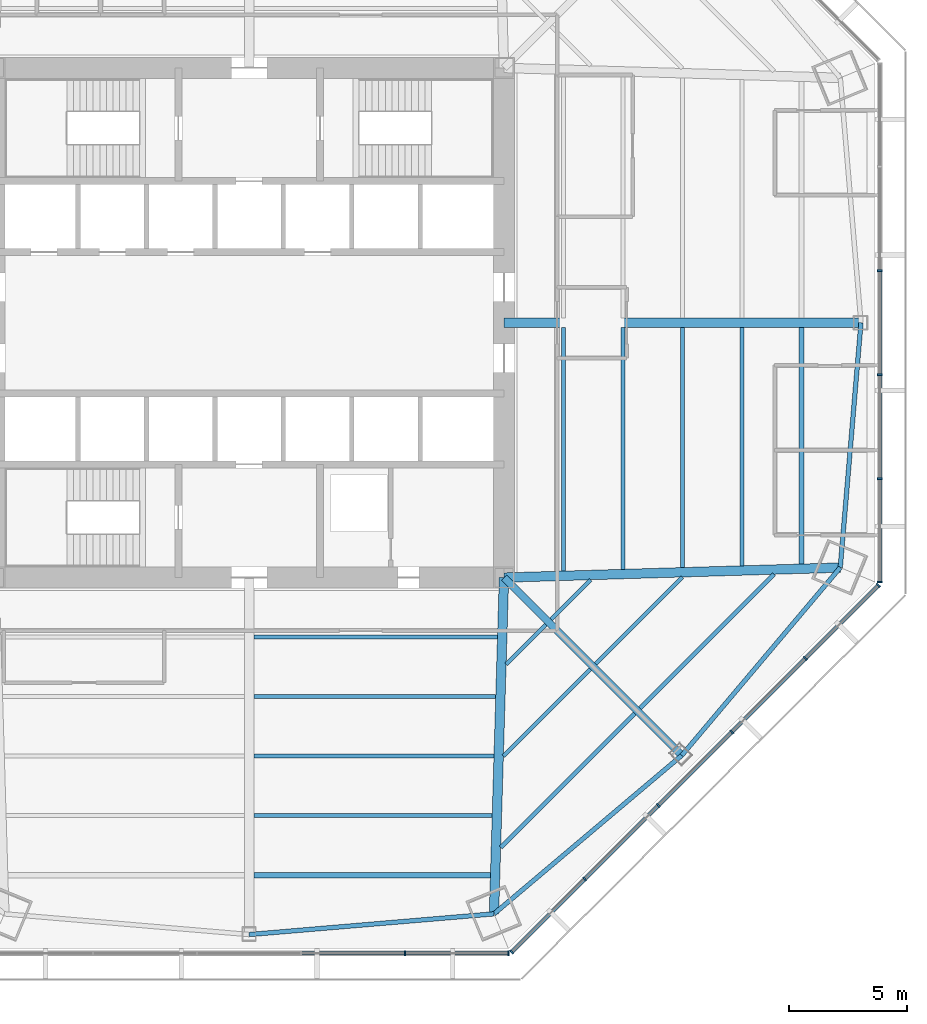
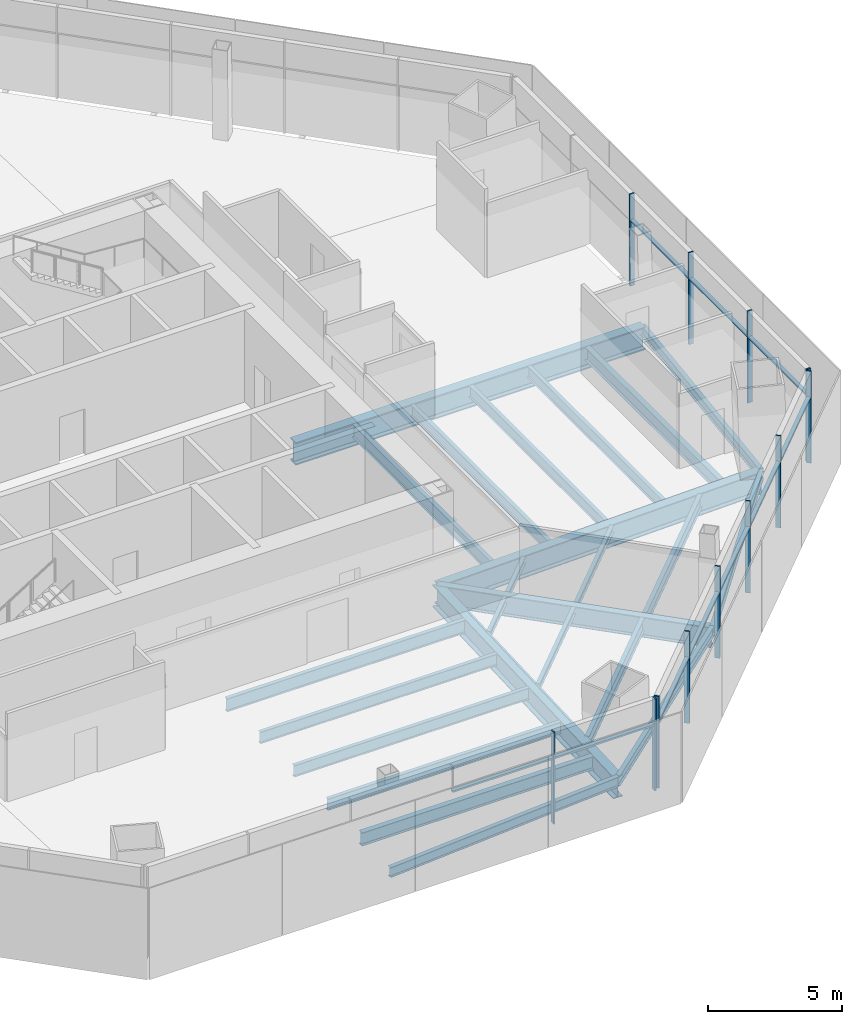
# One storey, part 3 of 13: 24 beams, 22 members, 3 elements without a shape of their own.
"""IFC4 building model written with IfcOpenShell, lengths in metres."""

import ifcopenshell
import ifcopenshell.guid

model = None  # the IFC model being written
_history = None  # IfcOwnerHistory: only IFC2X3 demands one
_inside = {}  # id of a spatial element -> (the spatial element, [elements in it])
_under = {}  # id of a project, library or spatial element -> (it, [spatial elements below it])
_declared = {}  # id of a project -> (the project, [libraries it declares])
_typed = {}  # id of a type object -> (the type object, [elements of that type])
_made_of = {}  # id of a material, layer set ... -> (it, [elements and type objects made of it])


def new_model(schema):
    """Start an empty IFC model of exactly this schema.

    Asked for "IFC4X3", IfcOpenShell would pick the latest addendum, in which some entities
    have other attributes; the version numbers below select the first issue.
    IFC2X3 requires an IfcOwnerHistory on every rooted entity: one is made here for all.
    """
    global model, _history
    if schema == "IFC4X3":
        model = ifcopenshell.file(schema_version=(4, 3, 0, 0))
    else:
        model = ifcopenshell.file(schema=schema)
    _inside.clear()
    _under.clear()
    _declared.clear()
    _typed.clear()
    _made_of.clear()
    _history = None
    if model.schema == "IFC2X3":
        org = make("IfcOrganization", Name="unknown")
        user = make(
            "IfcPersonAndOrganization",
            ThePerson=make("IfcPerson", FamilyName="unknown"),
            TheOrganization=org,
        )
        app = make(
            "IfcApplication",
            ApplicationDeveloper=org,
            Version="unknown",
            ApplicationFullName="unknown",
            ApplicationIdentifier="unknown",
        )
        _history = make(
            "IfcOwnerHistory",
            OwningUser=user,
            OwningApplication=app,
            ChangeAction="ADDED",
            CreationDate=0,
        )
    return model


def make(cls, **values):
    """One entity of the class cls with the attributes given. An attribute that is None is left unset."""
    return model.create_entity(
        cls, **{name: value for name, value in values.items() if value is not None}
    )


def rooted(cls, **values):
    """An entity with a GlobalId (a new one), such as an element, a storey or a relation."""
    return make(cls, GlobalId=ifcopenshell.guid.new(), OwnerHistory=_history, **values)


def si_unit(unit_type, name, prefix=None):
    """IfcSIUnit, for example si_unit("LENGTHUNIT", "METRE", prefix="MILLI")."""
    return make("IfcSIUnit", UnitType=unit_type, Prefix=prefix, Name=name)


def assignment(units):
    """IfcUnitAssignment: the units of a project."""
    return None if units is None else make("IfcUnitAssignment", Units=units)


def point(xyz):
    """IfcCartesianPoint."""
    return None if xyz is None else make("IfcCartesianPoint", Coordinates=xyz)


def direction(xyz):
    """IfcDirection."""
    return None if xyz is None else make("IfcDirection", DirectionRatios=xyz)


def frame(location, z_axis=None, x_axis=None):
    """IfcAxis2Placement3D, a coordinate frame: its origin and axes. An axis left out is left unset."""
    return make(
        "IfcAxis2Placement3D",
        Location=point(location),
        Axis=direction(z_axis),
        RefDirection=direction(x_axis),
    )


def frame_2d(location, x_axis=None):
    """IfcAxis2Placement2D, a coordinate frame in the plane: its origin and x axis."""
    return make(
        "IfcAxis2Placement2D", Location=point(location), RefDirection=direction(x_axis)
    )


def origin():
    """The frame at (0, 0, 0) with its axes left unset."""
    return frame((0.0, 0.0, 0.0))


def origin_2d():
    """The frame at (0, 0) in the plane with its x axis left unset."""
    return frame_2d((0.0, 0.0))


def place(relative_to, where):
    """IfcLocalPlacement: puts the frame where relative to a parent placement (None: the world)."""
    return make(
        "IfcLocalPlacement", PlacementRelTo=relative_to, RelativePlacement=where
    )


def context(
    kind, dimensions, precision=None, world=None, true_north=None, identifier=None
):
    """IfcGeometricRepresentationContext, for example the 3D "Model" context."""
    return make(
        "IfcGeometricRepresentationContext",
        ContextIdentifier=identifier,
        ContextType=kind,
        CoordinateSpaceDimension=dimensions,
        Precision=precision,
        WorldCoordinateSystem=world,
        TrueNorth=true_north,
    )


def subcontext(parent, identifier, kind, view, scale=None):
    """IfcGeometricRepresentationSubContext, for example "Body" below "Model"."""
    return make(
        "IfcGeometricRepresentationSubContext",
        ContextIdentifier=identifier,
        ContextType=kind,
        ParentContext=parent,
        TargetScale=scale,
        TargetView=view,
    )


def project(units=None, contexts=None):
    """IfcProject with its units and contexts."""
    return rooted(
        "IfcProject",
        Name="project",
        RepresentationContexts=contexts,
        UnitsInContext=assignment(units),
    )


def spatial(cls, under=None, at=None, **own):
    """A site, building, storey or space (cls), placed at a placement, below another one or the project."""
    s = rooted(cls, ObjectPlacement=at, **own)
    if under is not None:
        _under.setdefault(under.id(), (under, []))[1].append(s)
    return s


def profile(cls, at=None, kind="AREA", **sizes):
    """A parametric profile (cls). Its sizes go by their IFC names, for example OverallWidth=200.0."""
    return make(cls, ProfileType=kind, Position=at, **sizes)


def rectangle(**sizes):
    """IfcRectangleProfileDef."""
    return profile("IfcRectangleProfileDef", **sizes)


def i_section(**sizes):
    """IfcIShapeProfileDef."""
    return profile("IfcIShapeProfileDef", **sizes)


def extrude(swept, where, along, depth):
    """IfcExtrudedAreaSolid: the profile swept, set in the frame where, extruded along a direction by depth."""
    return make(
        "IfcExtrudedAreaSolid",
        SweptArea=swept,
        Position=where,
        ExtrudedDirection=direction(along),
        Depth=depth,
    )


def shape(context_of_items, identifier, shape_type, items):
    """IfcShapeRepresentation: the items that make up one representation, for example the "Body"."""
    return make(
        "IfcShapeRepresentation",
        ContextOfItems=context_of_items,
        RepresentationIdentifier=identifier,
        RepresentationType=shape_type,
        Items=items,
    )


def source(mapping_origin, context_of_items, identifier, shape_type, items):
    """IfcRepresentationMap: a shape defined once, which mapped items show again and again."""
    return make(
        "IfcRepresentationMap",
        MappingOrigin=mapping_origin,
        MappedRepresentation=shape(context_of_items, identifier, shape_type, items),
    )


def transform(
    local_origin,
    x_axis=None,
    y_axis=None,
    z_axis=None,
    scale=None,
    scale2=None,
    scale3=None,
    uniform=True,
):
    """IfcCartesianTransformationOperator3D, or its non-uniform kind. x_axis, y_axis, z_axis: its Axis1, 2, 3."""
    if uniform:
        return make(
            "IfcCartesianTransformationOperator3D",
            Axis1=direction(x_axis),
            Axis2=direction(y_axis),
            LocalOrigin=point(local_origin),
            Scale=scale,
            Axis3=direction(z_axis),
        )
    return make(
        "IfcCartesianTransformationOperator3DnonUniform",
        Axis1=direction(x_axis),
        Axis2=direction(y_axis),
        LocalOrigin=point(local_origin),
        Scale=scale,
        Axis3=direction(z_axis),
        Scale2=scale2,
        Scale3=scale3,
    )


def mapped(mapping_source, mapping_target):
    """IfcMappedItem: shows the shape of a source again, moved by a transform."""
    return make(
        "IfcMappedItem", MappingSource=mapping_source, MappingTarget=mapping_target
    )


def material(Name=None, Category=None):
    """IfcMaterial."""
    return make("IfcMaterial", Name=Name, Category=Category)


def material_profile(
    of_material, cross_section, Name=None, Category=None, Priority=None
):
    """IfcMaterialProfile: a cross section and its material."""
    return make(
        "IfcMaterialProfile",
        Name=Name,
        Material=of_material,
        Profile=cross_section,
        Priority=Priority,
        Category=Category,
    )


def profile_set(profiles, Name=None, composite=None):
    """IfcMaterialProfileSet."""
    return make(
        "IfcMaterialProfileSet",
        Name=Name,
        MaterialProfiles=profiles,
        CompositeProfile=composite,
    )


def made_of(thing, what):
    """Note that an element or type object is made of a material, layer set ...; save() writes the relation."""
    if what is not None:
        _made_of.setdefault(what.id(), (what, []))[1].append(thing)
    return thing


def type_object(cls, material=None, **own):
    """A type object (cls), such as IfcWallType, which elements share."""
    return made_of(rooted(cls, **own), material)


def type_shapes(of_type, sources):
    """Give a type object the sources (RepresentationMaps) that its elements show as mapped items."""
    of_type.RepresentationMaps = sources


def element(
    cls,
    number,
    at=None,
    inside=None,
    cuts=None,
    type_object=None,
    material=None,
    context=None,
    identifier="Body",
    shape_type=None,
    held_by="IfcProductDefinitionShape",
    body=None,
    shapes=None,
    **own,
):
    """One element of the class cls, such as IfcWall. Its Tag is "e" and its number.

    at: its placement. inside: the storey or other place that contains it. cuts: it is an
    opening in that element (IfcRelVoidsElement). A single representation is given by context,
    identifier, shape_type and body (its items); several are given by shapes. held_by: the class
    of the entity that holds the representations. save() writes the other relations.
    """
    e = rooted(cls, Tag="e%d" % number, ObjectPlacement=at, **own)
    if body is not None:
        shapes = [shape(context, identifier, shape_type, body)]
    if shapes is not None:
        e.Representation = make(held_by, Representations=shapes)
    if inside is not None:
        _inside.setdefault(inside.id(), (inside, []))[1].append(e)
    if cuts is not None:
        rooted(
            "IfcRelVoidsElement", RelatingBuildingElement=cuts, RelatedOpeningElement=e
        )
    if type_object is not None:
        _typed.setdefault(type_object.id(), (type_object, []))[1].append(e)
    return made_of(e, material)


def aggregate(whole, parts):
    """IfcRelAggregates: a whole, such as a stair, and the parts it consists of."""
    return rooted("IfcRelAggregates", RelatingObject=whole, RelatedObjects=parts)


def save(model, path):
    """Write the relations noted so far, then the file.

    IfcRelAggregates (storeys below a building ...), IfcRelContainedInSpatialStructure (elements
    in a storey), IfcRelDefinesByType, IfcRelAssociatesMaterial and IfcRelDeclares: one each for
    every whole, place, type object, material and project.
    """
    for whole, parts in _under.values():
        aggregate(whole, parts)
    for where, things in _inside.values():
        rooted(
            "IfcRelContainedInSpatialStructure",
            RelatedElements=things,
            RelatingStructure=where,
        )
    for kind, things in _typed.values():
        rooted("IfcRelDefinesByType", RelatedObjects=things, RelatingType=kind)
    for what, things in _made_of.values():
        rooted("IfcRelAssociatesMaterial", RelatedObjects=things, RelatingMaterial=what)
    for by, libraries in _declared.values():
        rooted("IfcRelDeclares", RelatingContext=by, RelatedDefinitions=libraries)
    model.write(path)


model = new_model("IFC4")

# Units and contexts
model_context = context("Model", 3, precision=1e-05, world=origin(), true_north=direction((0.0, 1.0)))
body_context = subcontext(model_context, "Body", "Model", "MODEL_VIEW")
ifc_project = project(units=[si_unit("LENGTHUNIT", "METRE"), si_unit("AREAUNIT", "SQUARE_METRE"), si_unit("VOLUMEUNIT", "CUBIC_METRE"), si_unit("PLANEANGLEUNIT", "RADIAN"), si_unit("MASSUNIT", "GRAM", prefix="KILO")], contexts=[model_context])

# Site, building, storey
site_placement = place(None, origin())
site = spatial("IfcSite", under=ifc_project, at=site_placement, CompositionType="ELEMENT")
building_placement = place(site_placement, origin())
building = spatial("IfcBuilding", under=site, at=building_placement, Name="Mashrafa Tower", CompositionType="ELEMENT")
storey_placement = place(building_placement, frame((0.0, 0.0, 45.60009765625)))
storey = spatial("IfcBuildingStorey", under=building, at=storey_placement, Name="L09", CompositionType="ELEMENT", Elevation=45.60009765625)

# Beams
ifc_material_1 = material(Name="Steel ASTM A992", Category="steel")
ifc_material_profile_1 = material_profile(ifc_material_1, i_section(OverallWidth=0.164794921875, OverallDepth=0.309814453125, WebThickness=0.005859375, FlangeThickness=0.009765625, FilletRadius=0.007568359375, at=origin_2d()), Name="W12X26")
ifc_profile_set_1 = profile_set([ifc_material_profile_1], Name="Steel ASTM A992")
beam_type_1 = type_object("IfcBeamType", Name="Beam W12X26", PredefinedType="BEAM", material=ifc_profile_set_1)
beam_1_placement = place(storey_placement, frame((12.574951171875, -12.79248046875, -0.320068359375), z_axis=(-0.707106781187, -0.707106781187, 0.0), x_axis=(0.707106781187, -0.707106781187, 0.0)))
element("IfcBeam", 1, at=beam_1_placement, inside=storey, type_object=beam_type_1, Name="Floor beam L09 046", PredefinedType="BEAM", context=body_context, shape_type="SweptSolid", body=[
    extrude(i_section(OverallWidth=0.164794921875, OverallDepth=0.309814453125, WebThickness=0.005859375, FlangeThickness=0.009765625, FilletRadius=0.007568359375, at=origin_2d()), origin(), (0.0, 0.0, 1.0), 2.380615234375),
])
beam_2_placement = place(storey_placement, frame((14.458740234375, -14.67626953125, -0.320068359375), z_axis=(-0.707130220543, -0.707083341053, 0.0), x_axis=(0.707083341053, -0.707130220543, 0.0)))
element("IfcBeam", 2, at=beam_2_placement, inside=storey, type_object=beam_type_1, Name="Floor beam L09 050", PredefinedType="BEAM", context=body_context, shape_type="SweptSolid", body=[
    extrude(i_section(OverallWidth=0.164794921875, OverallDepth=0.309814453125, WebThickness=0.005859375, FlangeThickness=0.009765625, FilletRadius=0.007568359375, at=origin_2d()), origin(), (0.0, 0.0, 1.0), 5.207763671875),
])
beam_3_placement = place(storey_placement, frame((14.475830078125, -10.8916015625, -0.320068359375), z_axis=(-0.707106781187, -0.707106781187, 0.0), x_axis=(0.707106781187, -0.707106781187, 0.0)))
element("IfcBeam", 3, at=beam_3_placement, inside=storey, type_object=beam_type_1, Name="Floor beam L09 052", PredefinedType="BEAM", context=body_context, shape_type="SweptSolid", body=[
    extrude(i_section(OverallWidth=0.164794921875, OverallDepth=0.309814453125, WebThickness=0.005859375, FlangeThickness=0.009765625, FilletRadius=0.007568359375, at=origin_2d()), origin(), (0.0, 0.0, 1.0), 2.380615234375),
])
beam_4_placement = place(storey_placement, frame((18.358642578125, -10.776123046875, -0.320068359375), z_axis=(-0.707083341053, -0.707130220543, 0.0), x_axis=(0.707130220543, -0.707083341053, 0.0)))
element("IfcBeam", 4, at=beam_4_placement, inside=storey, type_object=beam_type_1, Name="Floor beam L09 059", PredefinedType="BEAM", context=body_context, shape_type="SweptSolid", body=[
    extrude(i_section(OverallWidth=0.164794921875, OverallDepth=0.309814453125, WebThickness=0.005859375, FlangeThickness=0.009765625, FilletRadius=0.007568359375, at=origin_2d()), origin(), (0.0, 0.0, 1.0), 5.207763671875),
])
ifc_material_2 = material(Name="Steel ASTM A992", Category="steel")
ifc_material_profile_2 = material_profile(ifc_material_2, i_section(OverallWidth=0.191162109375, OverallDepth=0.459716796875, WebThickness=0.010009765625, FlangeThickness=0.01611328125, FilletRadius=0.01025390625, at=origin_2d()), Name="W18X55")
ifc_profile_set_2 = profile_set([ifc_material_profile_2], Name="Steel ASTM A992")
beam_type_2 = type_object("IfcBeamType", Name="Beam W18X55", PredefinedType="BEAM", material=ifc_profile_set_2)
beam_5_placement = place(storey_placement, frame((0.0, -25.929443359375, -0.39501953125), z_axis=(0.996438060976, 0.084327875805, 0.0), x_axis=(-0.084327875805, 0.996438060976, 0.0)))
element("IfcBeam", 5, at=beam_5_placement, inside=storey, type_object=beam_type_2, Name="Spandrel beam L09 088", PredefinedType="BEAM", context=body_context, shape_type="SweptSolid", body=[
    extrude(i_section(OverallWidth=0.191162109375, OverallDepth=0.459716796875, WebThickness=0.010009765625, FlangeThickness=0.01611328125, FilletRadius=0.01025390625, at=origin_2d()), origin(), (0.0, 0.0, 1.0), 10.413818359375),
])
for number, where, z_axis, x_axis, name in (
    (6, (10.376708984375, -25.05126953125, -0.39501953125), (0.764218898486, 0.64495695608, 0.0), (-0.64495695608, 0.764218898486, 0.0), "Spandrel beam L09 090"),
    (7, (18.3349609375, -18.3349609375, -0.39501953125), (0.64495695608, 0.764218898486, 0.0), (-0.764218898486, 0.64495695608, 0.0), "Spandrel beam L09 092"),
):
    element("IfcBeam", number, at=place(storey_placement, frame(where, z_axis=z_axis, x_axis=x_axis)), inside=storey, type_object=beam_type_2, Name=name, PredefinedType="BEAM", context=body_context, shape_type="SweptSolid", body=[
        extrude(i_section(OverallWidth=0.191162109375, OverallDepth=0.459716796875, WebThickness=0.010009765625, FlangeThickness=0.01611328125, FilletRadius=0.01025390625, at=origin_2d()), origin(), (0.0, 0.0, 1.0), 10.41357421875),
    ])
beam_6_placement = place(storey_placement, frame((25.05126953125, -10.376708984375, -0.39501953125), z_axis=(0.084327875805, 0.996438060976, 0.0), x_axis=(-0.996438060976, 0.084327875805, 0.0)))
element("IfcBeam", 8, at=beam_6_placement, inside=storey, type_object=beam_type_2, Name="Spandrel beam L09 094", PredefinedType="BEAM", context=body_context, shape_type="SweptSolid", body=[
    extrude(i_section(OverallWidth=0.191162109375, OverallDepth=0.459716796875, WebThickness=0.010009765625, FlangeThickness=0.01611328125, FilletRadius=0.01025390625, at=origin_2d()), origin(), (0.0, 0.0, 1.0), 10.413818359375),
])
ifc_material_3 = material(Name="Steel ASTM A992", Category="steel")
ifc_material_profile_3 = material_profile(ifc_material_3, i_section(OverallWidth=0.1650390625, OverallDepth=0.52587890625, WebThickness=0.0087890625, FlangeThickness=0.011474609375, FilletRadius=0.0126953125, at=origin_2d()), Name="W21X44")
ifc_profile_set_3 = profile_set([ifc_material_profile_3], Name="Steel ASTM A992")
beam_type_3 = type_object("IfcBeamType", Name="Beam W21X44", PredefinedType="BEAM", material=ifc_profile_set_3)
for number, where, z_axis, x_axis, name in (
    (9, (10.299560546875, -20.88623046875, -0.427978515625), (-1.0, 0.0, 0.0), (0.0, -1.0, 0.0), "Floor beam L09 040"),
    (10, (20.88623046875, -0.20458984375, -0.427978515625), (0.0, -1.0, 0.0), (1.0, 0.0, 0.0), "Floor beam L09 060"),
):
    element("IfcBeam", number, at=place(storey_placement, frame(where, z_axis=z_axis, x_axis=x_axis)), inside=storey, type_object=beam_type_3, Name=name, PredefinedType="BEAM", context=body_context, shape_type="SweptSolid", body=[
        extrude(i_section(OverallWidth=0.1650390625, OverallDepth=0.52587890625, WebThickness=0.0087890625, FlangeThickness=0.011474609375, FilletRadius=0.0126953125, at=origin_2d()), origin(), (0.0, 0.0, 1.0), 10.094970703125),
    ])
ifc_material_4 = material(Name="Steel ASTM A992", Category="steel")
ifc_material_profile_4 = material_profile(ifc_material_4, i_section(OverallWidth=0.165771484375, OverallDepth=0.5283203125, WebThickness=0.009765625, FlangeThickness=0.013671875, FilletRadius=0.012939453125, at=origin_2d()), Name="W21X50")
ifc_profile_set_4 = profile_set([ifc_material_profile_4], Name="Steel ASTM A992")
beam_type_4 = type_object("IfcBeamType", Name="Beam W21X50", PredefinedType="BEAM", material=ifc_profile_set_4)
beam_7_placement = place(storey_placement, frame((10.37451171875, -18.36474609375, -0.42919921875), z_axis=(-1.0, 0.0, 0.0), x_axis=(0.0, -1.0, 0.0)))
element("IfcBeam", 11, at=beam_7_placement, inside=storey, type_object=beam_type_4, Name="Floor beam L09 042", PredefinedType="BEAM", context=body_context, shape_type="SweptSolid", body=[
    extrude(i_section(OverallWidth=0.165771484375, OverallDepth=0.5283203125, WebThickness=0.009765625, FlangeThickness=0.013671875, FilletRadius=0.012939453125, at=origin_2d()), origin(), (0.0, 0.0, 1.0), 10.169921875),
])
for number, where, z_axis, x_axis, name in (
    (12, (10.449462890625, -15.843017578125, -0.42919921875), (-1.0, 0.0, 0.0), (0.0, -1.0, 0.0), "Floor beam L09 043"),
    (13, (15.843017578125, -0.20458984375, -0.42919921875), (0.0, -1.0, 0.0), (1.0, 0.0, 0.0), "Floor beam L09 053"),
):
    element("IfcBeam", number, at=place(storey_placement, frame(where, z_axis=z_axis, x_axis=x_axis)), inside=storey, type_object=beam_type_4, Name=name, PredefinedType="BEAM", context=body_context, shape_type="SweptSolid", body=[
        extrude(i_section(OverallWidth=0.165771484375, OverallDepth=0.5283203125, WebThickness=0.009765625, FlangeThickness=0.013671875, FilletRadius=0.012939453125, at=origin_2d()), origin(), (0.0, 0.0, 1.0), 10.244873046875),
    ])
beam_8_placement = place(storey_placement, frame((18.36474609375, -0.20458984375, -0.42919921875), z_axis=(0.0, -1.0, 0.0), x_axis=(1.0, 0.0, 0.0)))
element("IfcBeam", 14, at=beam_8_placement, inside=storey, type_object=beam_type_4, Name="Floor beam L09 057", PredefinedType="BEAM", context=body_context, shape_type="SweptSolid", body=[
    extrude(i_section(OverallWidth=0.165771484375, OverallDepth=0.5283203125, WebThickness=0.009765625, FlangeThickness=0.013671875, FilletRadius=0.012939453125, at=origin_2d()), origin(), (0.0, 0.0, 1.0), 10.169921875),
])
ifc_material_5 = material(Name="Steel ASTM A992", Category="steel")
ifc_material_profile_5 = material_profile(ifc_material_5, i_section(OverallWidth=0.177978515625, OverallDepth=0.599365234375, WebThickness=0.010009765625, FlangeThickness=0.012939453125, FilletRadius=0.012939453125, at=origin_2d()), Name="W24X55")
ifc_profile_set_5 = profile_set([ifc_material_profile_5], Name="Steel ASTM A992")
beam_type_5 = type_object("IfcBeamType", Name="Beam W24X55", PredefinedType="BEAM", material=ifc_profile_set_5)
for number, where, z_axis, x_axis, name in (
    (15, (10.5244140625, -13.321533203125, -0.46484375), (-1.0, 0.0, 0.0), (0.0, -1.0, 0.0), "Floor beam L09 045"),
    (16, (13.321533203125, -0.20458984375, -0.46484375), (0.0, -1.0, 0.0), (1.0, 0.0, 0.0), "Floor beam L09 048"),
):
    element("IfcBeam", number, at=place(storey_placement, frame(where, z_axis=z_axis, x_axis=x_axis)), inside=storey, type_object=beam_type_5, Name=name, PredefinedType="BEAM", context=body_context, shape_type="SweptSolid", body=[
        extrude(i_section(OverallWidth=0.177978515625, OverallDepth=0.599365234375, WebThickness=0.010009765625, FlangeThickness=0.012939453125, FilletRadius=0.012939453125, at=origin_2d()), origin(), (0.0, 0.0, 1.0), 10.31982421875),
    ])
for number, where, z_axis, x_axis, name in (
    (17, (16.342529296875, -16.559814453125, -0.46484375), (-0.707106781187, -0.707106781187, 0.0), (0.707106781187, -0.707106781187, 0.0), "Floor beam L09 055"),
    (18, (22.241455078125, -10.660888671875, -0.46484375), (-0.707106781187, -0.707106781187, 0.0), (0.707106781187, -0.707106781187, 0.0), "Floor beam L09 062"),
):
    element("IfcBeam", number, at=place(storey_placement, frame(where, z_axis=z_axis, x_axis=x_axis)), inside=storey, type_object=beam_type_5, Name=name, PredefinedType="BEAM", context=body_context, shape_type="SweptSolid", body=[
        extrude(i_section(OverallWidth=0.177978515625, OverallDepth=0.599365234375, WebThickness=0.010009765625, FlangeThickness=0.012939453125, FilletRadius=0.012939453125, at=origin_2d()), origin(), (0.0, 0.0, 1.0), 8.03515625),
    ])
ifc_material_6 = material(Name="Steel ASTM A992", Category="steel")
ifc_material_profile_6 = material_profile(ifc_material_6, i_section(OverallWidth=0.227783203125, OverallDepth=0.60205078125, WebThickness=0.010498046875, FlangeThickness=0.014892578125, FilletRadius=0.012939453125, at=origin_2d()), Name="W24X68")
ifc_profile_set_6 = profile_set([ifc_material_profile_6], Name="Steel ASTM A992")
beam_type_6 = type_object("IfcBeamType", Name="Beam W24X68", PredefinedType="BEAM", material=ifc_profile_set_6)
for number, where, z_axis, x_axis, name in (
    (19, (10.224609375, -23.40771484375, -0.466064453125), (-1.0, 0.0, 0.0), (0.0, -1.0, 0.0), "Floor beam L09 038"),
    (20, (23.40771484375, -0.20458984375, -0.466064453125), (0.0, -1.0, 0.0), (1.0, 0.0, 0.0), "Floor beam L09 063"),
):
    element("IfcBeam", number, at=place(storey_placement, frame(where, z_axis=z_axis, x_axis=x_axis)), inside=storey, type_object=beam_type_6, Name=name, PredefinedType="BEAM", context=body_context, shape_type="SweptSolid", body=[
        extrude(i_section(OverallWidth=0.227783203125, OverallDepth=0.60205078125, WebThickness=0.010498046875, FlangeThickness=0.014892578125, FilletRadius=0.012939453125, at=origin_2d()), origin(), (0.0, 0.0, 1.0), 10.02001953125),
    ])
ifc_material_7 = material(Name="Steel ASTM A992", Category="steel")
ifc_material_profile_7 = material_profile(ifc_material_7, i_section(OverallWidth=0.307373046875, OverallDepth=0.927001953125, WebThickness=0.01953125, FlangeThickness=0.031982421875, FilletRadius=0.01904296875, at=origin_2d()), Name="W36X194")
ifc_profile_set_7 = profile_set([ifc_material_profile_7], Name="Steel ASTM A992")
beam_type_7 = type_object("IfcBeamType", Name="Beam W36X194", PredefinedType="BEAM", material=ifc_profile_set_7)
beam_9_placement = place(storey_placement, frame((10.800048828125, -10.800048828125, -0.628662109375), z_axis=(0.707106781187, -0.707106781187, 0.0), x_axis=(0.707106781187, 0.707106781187, 0.0)))
element("IfcBeam", 21, at=beam_9_placement, inside=storey, type_object=beam_type_7, Name="Radial girder L09 075", PredefinedType="BEAM", context=body_context, shape_type="SweptSolid", body=[
    extrude(i_section(OverallWidth=0.307373046875, OverallDepth=0.927001953125, WebThickness=0.01953125, FlangeThickness=0.031982421875, FilletRadius=0.01904296875, at=origin_2d()), origin(), (0.0, 0.0, 1.0), 10.656005859375),
])
ifc_material_8 = material(Name="Steel ASTM A992", Category="steel")
ifc_material_profile_8 = material_profile(ifc_material_8, i_section(OverallWidth=0.4013671875, OverallDepth=1.010986328125, WebThickness=0.023681640625, FlangeThickness=0.0419921875, FilletRadius=0.02001953125, at=origin_2d()), Name="W40X297")
ifc_profile_set_8 = profile_set([ifc_material_profile_8], Name="Steel ASTM A992")
beam_type_8 = type_object("IfcBeamType", Name="Beam W40X297", PredefinedType="BEAM", material=ifc_profile_set_8)
for number, where, z_axis, x_axis, name in (
    (22, (10.800048828125, -10.800048828125, -0.670654296875), (-0.029692416869, -0.999559082986, 0.0), (0.999559082986, -0.029692416869, 0.0), "Radial girder L09 074"),
    (23, (10.800048828125, -10.800048828125, -0.670654296875), (0.999559082986, 0.029692416869, 0.0), (-0.029692416869, 0.999559082986, 0.0), "Radial girder L09 076"),
):
    element("IfcBeam", number, at=place(storey_placement, frame(where, z_axis=z_axis, x_axis=x_axis)), inside=storey, type_object=beam_type_8, Name=name, PredefinedType="BEAM", context=body_context, shape_type="SweptSolid", body=[
        extrude(i_section(OverallWidth=0.4013671875, OverallDepth=1.010986328125, WebThickness=0.023681640625, FlangeThickness=0.0419921875, FilletRadius=0.02001953125, at=origin_2d()), origin(), (0.0, 0.0, 1.0), 14.257568359375),
    ])
ifc_material_9 = material(Name="Steel ASTM A992", Category="steel")
ifc_material_profile_9 = material_profile(ifc_material_9, i_section(OverallWidth=0.408935546875, OverallDepth=1.04150390625, WebThickness=0.031005859375, FlangeThickness=0.055908203125, FilletRadius=0.020263671875, at=origin_2d()), Name="W40X397")
ifc_profile_set_9 = profile_set([ifc_material_profile_9], Name="Steel ASTM A992")
beam_type_9 = type_object("IfcBeamType", Name="Beam W40X397", PredefinedType="BEAM", material=ifc_profile_set_9)
beam_10_placement = place(storey_placement, frame((10.800048828125, 0.0, -0.685791015625), z_axis=(1.0, 0.0, 0.0), x_axis=(0.0, 1.0, 0.0)))
element("IfcBeam", 24, at=beam_10_placement, inside=storey, type_object=beam_type_9, Name="Radial girder L09 077", PredefinedType="BEAM", context=body_context, shape_type="SweptSolid", body=[
    extrude(i_section(OverallWidth=0.408935546875, OverallDepth=1.04150390625, WebThickness=0.031005859375, FlangeThickness=0.055908203125, FilletRadius=0.020263671875, at=origin_2d()), origin(), (0.0, 0.0, 1.0), 15.12939453125),
])

# Curtain wall, members
ifc_material_10 = material(Name="Unitised aluminium curtain wall", Category="aluminium")
curtain_wall_type = type_object("IfcCurtainWallType", Name="Office curtain wall, zone 1 CW-A 200 deep", PredefinedType="NOTDEFINED", material=ifc_material_10)
curtain_wall_1_placement = place(storey_placement, origin())
curtain_wall_1 = element("IfcCurtainWall", 25, at=curtain_wall_1_placement, inside=storey, type_object=curtain_wall_type, Name="Office curtain wall, zone 1 L09 east", PredefinedType="NOTDEFINED")
ifc_material_11 = material(Name="Extruded aluminium mullion", Category="aluminium")
ifc_material_profile_10 = material_profile(ifc_material_11, rectangle(XDim=0.199951171875, YDim=0.06494140625, at=origin_2d()), Name="Mullion 65x200")
ifc_profile_set_10 = profile_set([ifc_material_profile_10], Name="Extruded aluminium mullion")
member_type_1 = type_object("IfcMemberType", Name="Mullion CW-A 65 x 200", PredefinedType="MULLION", material=ifc_profile_set_10)
shared_shape_1 = source(origin(), body_context, "Body", "SweptSolid", [
    extrude(rectangle(XDim=0.199951171875, YDim=0.06494140625, at=origin_2d()), origin(), (0.0, 0.0, 1.0), 4.199951171875),
])
type_shapes(member_type_1, [shared_shape_1])
member_1_placement = place(storey_placement, frame((26.724853515625, -10.98583984375, 0.0), z_axis=(0.0, 0.0, 1.0), x_axis=(-1.0, 0.0, 0.0)))
member_1 = element("IfcMember", 26, at=member_1_placement, type_object=member_type_1, Name="CW-A mullion 1", PredefinedType="MULLION", context=body_context, shape_type="MappedRepresentation", body=[
    mapped(shared_shape_1, transform((0.0, 0.0, 0.0))),
])
member_2_placement = place(storey_placement, frame((26.724853515625, -6.611083984375, 0.0), z_axis=(0.0, 0.0, 1.0), x_axis=(-1.0, 0.0, 0.0)))
member_2 = element("IfcMember", 27, at=member_2_placement, type_object=member_type_1, Name="CW-A mullion 2", PredefinedType="MULLION", context=body_context, shape_type="MappedRepresentation", body=[
    mapped(shared_shape_1, transform((0.0, 0.0, 0.0))),
])
member_3_placement = place(storey_placement, frame((26.724853515625, -2.20361328125, 0.0), z_axis=(0.0, 0.0, 1.0), x_axis=(-1.0, 0.0, 0.0)))
member_3 = element("IfcMember", 28, at=member_3_placement, type_object=member_type_1, Name="CW-A mullion 3", PredefinedType="MULLION", context=body_context, shape_type="MappedRepresentation", body=[
    mapped(shared_shape_1, transform((0.0, 0.0, 0.0))),
])
member_4_placement = place(storey_placement, frame((26.724853515625, 2.20361328125, 0.0), z_axis=(0.0, 0.0, 1.0), x_axis=(-1.0, 0.0, 0.0)))
member_4 = element("IfcMember", 29, at=member_4_placement, type_object=member_type_1, Name="CW-A mullion 4", PredefinedType="MULLION", context=body_context, shape_type="MappedRepresentation", body=[
    mapped(shared_shape_1, transform((0.0, 0.0, 0.0))),
])

curtain_wall_2_placement = place(storey_placement, origin())
curtain_wall_2 = element("IfcCurtainWall", 30, at=curtain_wall_2_placement, inside=storey, type_object=curtain_wall_type, Name="Office curtain wall, zone 1 L09 south", PredefinedType="NOTDEFINED")
member_5_placement = place(storey_placement, frame((6.611083984375, -26.724853515625, 0.0), z_axis=(0.0, 0.0, 1.0), x_axis=(0.0, 1.0, 0.0)))
member_5 = element("IfcMember", 31, at=member_5_placement, type_object=member_type_1, Name="CW-A mullion 5", PredefinedType="MULLION", context=body_context, shape_type="MappedRepresentation", body=[
    mapped(shared_shape_1, transform((0.0, 0.0, 0.0))),
])
member_6_placement = place(storey_placement, frame((10.98583984375, -26.724853515625, 0.0), z_axis=(0.0, 0.0, 1.0), x_axis=(0.0, 1.0, 0.0)))
member_6 = element("IfcMember", 32, at=member_6_placement, type_object=member_type_1, Name="CW-A mullion 6", PredefinedType="MULLION", context=body_context, shape_type="MappedRepresentation", body=[
    mapped(shared_shape_1, transform((0.0, 0.0, 0.0))),
])

curtain_wall_3_placement = place(storey_placement, origin())
curtain_wall_3 = element("IfcCurtainWall", 33, at=curtain_wall_3_placement, inside=storey, type_object=curtain_wall_type, Name="Office curtain wall, zone 1 L09 south-east", PredefinedType="NOTDEFINED")
member_7_placement = place(storey_placement, frame((11.129150390625, -26.66552734375, 0.0), z_axis=(0.0, 0.0, 1.0), x_axis=(-0.707106781187, 0.707106781187, 0.0)))
member_7 = element("IfcMember", 34, at=member_7_placement, type_object=member_type_1, Name="CW-A mullion 1", PredefinedType="MULLION", context=body_context, shape_type="MappedRepresentation", body=[
    mapped(shared_shape_1, transform((0.0, 0.0, 0.0))),
])
member_8_placement = place(storey_placement, frame((14.22265625, -23.572021484375, 0.0), z_axis=(0.0, 0.0, 1.0), x_axis=(-0.707106781187, 0.707106781187, 0.0)))
member_8 = element("IfcMember", 35, at=member_8_placement, type_object=member_type_1, Name="CW-A mullion 2", PredefinedType="MULLION", context=body_context, shape_type="MappedRepresentation", body=[
    mapped(shared_shape_1, transform((0.0, 0.0, 0.0))),
])
member_9_placement = place(storey_placement, frame((17.339111328125, -20.45556640625, 0.0), z_axis=(0.0, 0.0, 1.0), x_axis=(-0.707106781187, 0.707106781187, 0.0)))
member_9 = element("IfcMember", 36, at=member_9_placement, type_object=member_type_1, Name="CW-A mullion 3", PredefinedType="MULLION", context=body_context, shape_type="MappedRepresentation", body=[
    mapped(shared_shape_1, transform((0.0, 0.0, 0.0))),
])
member_10_placement = place(storey_placement, frame((20.45556640625, -17.339111328125, 0.0), z_axis=(0.0, 0.0, 1.0), x_axis=(-0.707106781187, 0.707106781187, 0.0)))
member_10 = element("IfcMember", 37, at=member_10_placement, type_object=member_type_1, Name="CW-A mullion 4", PredefinedType="MULLION", context=body_context, shape_type="MappedRepresentation", body=[
    mapped(shared_shape_1, transform((0.0, 0.0, 0.0))),
])
member_11_placement = place(storey_placement, frame((23.572021484375, -14.22265625, 0.0), z_axis=(0.0, 0.0, 1.0), x_axis=(-0.707106781187, 0.707106781187, 0.0)))
member_11 = element("IfcMember", 38, at=member_11_placement, type_object=member_type_1, Name="CW-A mullion 5", PredefinedType="MULLION", context=body_context, shape_type="MappedRepresentation", body=[
    mapped(shared_shape_1, transform((0.0, 0.0, 0.0))),
])
member_12_placement = place(storey_placement, frame((26.66552734375, -11.129150390625, 0.0), z_axis=(0.0, 0.0, 1.0), x_axis=(-0.707106781187, 0.707106781187, 0.0)))
member_12 = element("IfcMember", 39, at=member_12_placement, type_object=member_type_1, Name="CW-A mullion 6", PredefinedType="MULLION", context=body_context, shape_type="MappedRepresentation", body=[
    mapped(shared_shape_1, transform((0.0, 0.0, 0.0))),
])

# Member
ifc_material_12 = material(Name="Extruded aluminium transom", Category="aluminium")
ifc_material_profile_11 = material_profile(ifc_material_12, rectangle(XDim=0.159912109375, YDim=0.080078125, at=origin_2d()), Name="Transom 80x160")
ifc_profile_set_11 = profile_set([ifc_material_profile_11], Name="Extruded aluminium transom")
member_type_2 = type_object("IfcMemberType", Name="Transom CW-A 80 x 160", PredefinedType="MULLION", material=ifc_profile_set_11)
shared_shape_2 = source(origin(), body_context, "Body", "SweptSolid", [
    extrude(rectangle(XDim=0.159912109375, YDim=0.080078125, at=origin_2d()), origin(), (0.0, 0.0, 1.0), 4.309814453125),
])
member_13_placement = place(storey_placement, frame((26.724853515625, -10.953369140625, 3.0), z_axis=(0.0, 1.0, 0.0), x_axis=(-1.0, 0.0, 0.0)))
member_13 = element("IfcMember", 40, at=member_13_placement, type_object=member_type_2, Name="CW-A transom 1", PredefinedType="MULLION", context=body_context, shape_type="MappedRepresentation", body=[
    mapped(shared_shape_2, transform((0.0, 0.0, 0.0))),
])

member_14_placement = place(storey_placement, frame((6.6435546875, -26.724853515625, 3.0), z_axis=(1.0, 0.0, 0.0), x_axis=(0.0, 1.0, 0.0)))
member_14 = element("IfcMember", 41, at=member_14_placement, type_object=member_type_2, Name="CW-A transom 5", PredefinedType="MULLION", context=body_context, shape_type="MappedRepresentation", body=[
    mapped(shared_shape_2, transform((0.0, 0.0, 0.0))),
])

member_15_placement = place(storey_placement, frame((11.152099609375, -26.642333984375, 3.0), z_axis=(0.707135104544, 0.707078456695, 0.0), x_axis=(-0.707078456695, 0.707135104544, 0.0)))
member_15 = element("IfcMember", 42, at=member_15_placement, type_object=member_type_2, Name="CW-A transom 1", PredefinedType="MULLION", context=body_context, shape_type="MappedRepresentation", body=[
    mapped(shared_shape_2, transform((0.0, 0.0, 0.0))),
])

member_16_placement = place(storey_placement, frame((23.594970703125, -14.19970703125, 3.0), z_axis=(0.707078456695, 0.707135104544, 0.0), x_axis=(-0.707135104544, 0.707078456695, 0.0)))
member_16 = element("IfcMember", 43, at=member_16_placement, type_object=member_type_2, Name="CW-A transom 5", PredefinedType="MULLION", context=body_context, shape_type="MappedRepresentation", body=[
    mapped(shared_shape_2, transform((0.0, 0.0, 0.0))),
])

shared_shape_3 = source(origin(), body_context, "Body", "SweptSolid", [
    extrude(rectangle(XDim=0.159912109375, YDim=0.080078125, at=origin_2d()), origin(), (0.0, 0.0, 1.0), 4.342529296875),
])
member_17_placement = place(storey_placement, frame((26.724853515625, -6.57861328125, 3.0), z_axis=(0.0, 1.0, 0.0), x_axis=(-1.0, 0.0, 0.0)))
member_17 = element("IfcMember", 44, at=member_17_placement, type_object=member_type_2, Name="CW-A transom 2", PredefinedType="MULLION", context=body_context, shape_type="MappedRepresentation", body=[
    mapped(shared_shape_3, transform((0.0, 0.0, 0.0))),
])

member_18_placement = place(storey_placement, frame((2.236083984375, -26.724853515625, 3.0), z_axis=(1.0, 0.0, 0.0), x_axis=(0.0, 1.0, 0.0)))
member_18 = element("IfcMember", 45, at=member_18_placement, type_object=member_type_2, Name="CW-A transom 4", PredefinedType="MULLION", context=body_context, shape_type="MappedRepresentation", body=[
    mapped(shared_shape_3, transform((0.0, 0.0, 0.0))),
])

aggregate(curtain_wall_2, [member_5, member_6, member_18, member_14])

member_19_placement = place(storey_placement, frame((14.24560546875, -23.549072265625, 3.0), z_axis=(0.707106781187, 0.707106781187, 0.0), x_axis=(-0.707106781187, 0.707106781187, 0.0)))
member_19 = element("IfcMember", 46, at=member_19_placement, type_object=member_type_2, Name="CW-A transom 2", PredefinedType="MULLION", context=body_context, shape_type="MappedRepresentation", body=[
    mapped(shared_shape_3, transform((0.0, 0.0, 0.0))),
])

member_20_placement = place(storey_placement, frame((17.362060546875, -20.4326171875, 3.0), z_axis=(0.707106781187, 0.707106781187, 0.0), x_axis=(-0.707106781187, 0.707106781187, 0.0)))
member_20 = element("IfcMember", 47, at=member_20_placement, type_object=member_type_2, Name="CW-A transom 3", PredefinedType="MULLION", context=body_context, shape_type="MappedRepresentation", body=[
    mapped(shared_shape_3, transform((0.0, 0.0, 0.0))),
])

member_21_placement = place(storey_placement, frame((20.478515625, -17.316162109375, 3.0), z_axis=(0.707106781187, 0.707106781187, 0.0), x_axis=(-0.707106781187, 0.707106781187, 0.0)))
member_21 = element("IfcMember", 48, at=member_21_placement, type_object=member_type_2, Name="CW-A transom 4", PredefinedType="MULLION", context=body_context, shape_type="MappedRepresentation", body=[
    mapped(shared_shape_3, transform((0.0, 0.0, 0.0))),
])

aggregate(curtain_wall_3, [member_7, member_8, member_9, member_10, member_11, member_12, member_15, member_19, member_20, member_21, member_16])

shared_shape_4 = source(origin(), body_context, "Body", "SweptSolid", [
    extrude(rectangle(XDim=0.159912109375, YDim=0.080078125, at=origin_2d()), origin(), (0.0, 0.0, 1.0), 4.34228515625),
])
type_shapes(member_type_2, [shared_shape_2, shared_shape_3, shared_shape_4])
member_22_placement = place(storey_placement, frame((26.724853515625, -2.171142578125, 3.0), z_axis=(0.0, 1.0, 0.0), x_axis=(-1.0, 0.0, 0.0)))
member_22 = element("IfcMember", 49, at=member_22_placement, type_object=member_type_2, Name="CW-A transom 3", PredefinedType="MULLION", context=body_context, shape_type="MappedRepresentation", body=[
    mapped(shared_shape_4, transform((0.0, 0.0, 0.0))),
])

aggregate(curtain_wall_1, [member_1, member_2, member_3, member_4, member_13, member_17, member_22])

save(model, "model.ifc")
